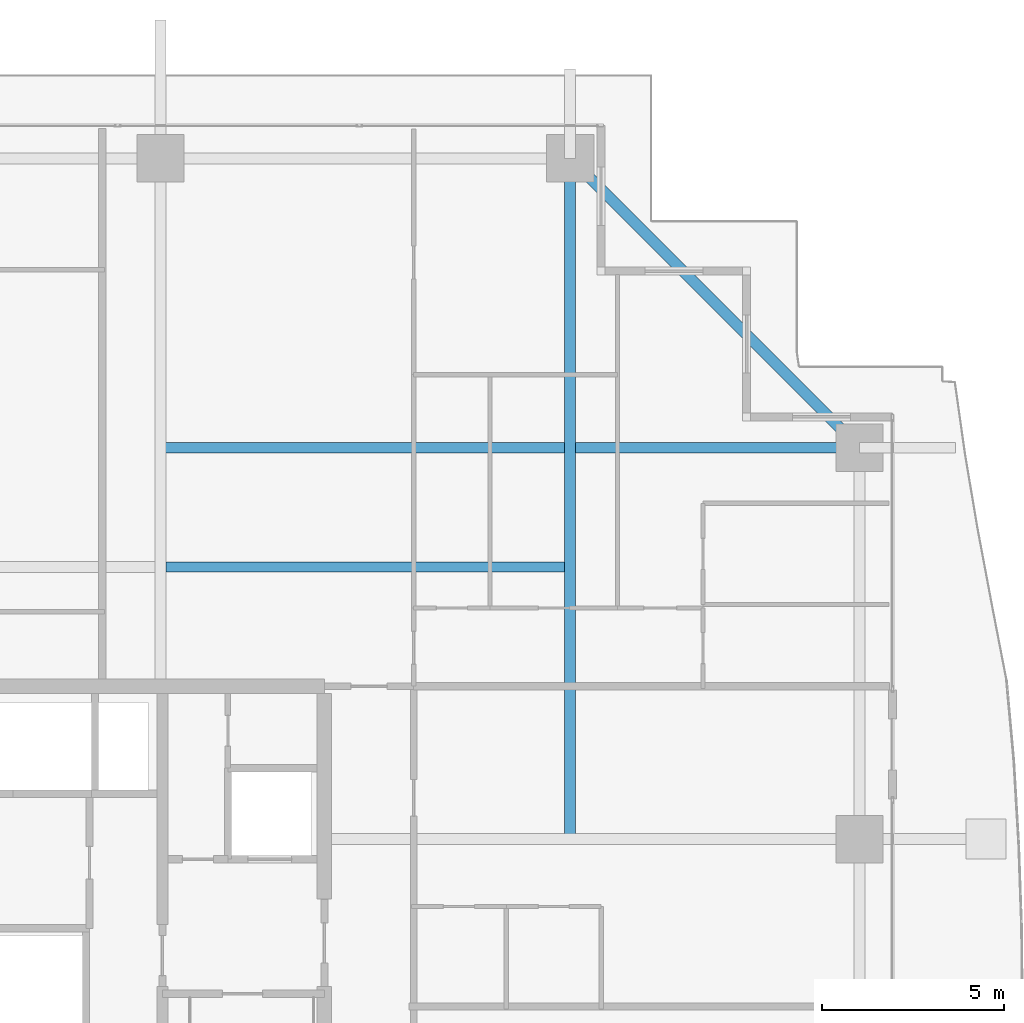
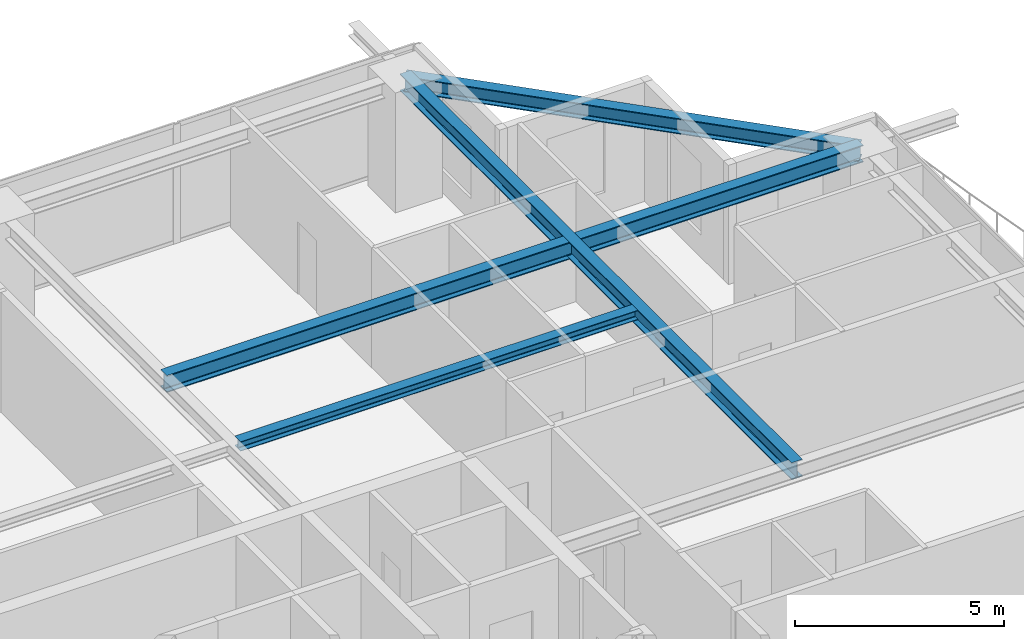
# One storey, part 22 of 36: 4 beams.
"""IFC4 building model written with IfcOpenShell, lengths in metres."""

from ifc_helpers import new_model, si_unit, direction, frame, origin, origin_2d, place, context, subcontext, project, spatial, i_section, extrude, source, transform, mapped, material, material_profile, profile_set, type_object, element, save


model = new_model("IFC4")

# Units and contexts
model_context = context("Model", 3, precision=1e-05, world=origin(), true_north=direction((0.0, 1.0)))
body_context = subcontext(model_context, "Body", "Model", "MODEL_VIEW")
ifc_project = project(units=[si_unit("LENGTHUNIT", "METRE"), si_unit("AREAUNIT", "SQUARE_METRE"), si_unit("VOLUMEUNIT", "CUBIC_METRE"), si_unit("PLANEANGLEUNIT", "RADIAN"), si_unit("MASSUNIT", "GRAM", prefix="KILO")], contexts=[model_context])

# Site, building, storey
site_placement = place(None, origin())
site = spatial("IfcSite", under=ifc_project, at=site_placement, CompositionType="ELEMENT")
building_placement = place(site_placement, origin())
building = spatial("IfcBuilding", under=site, at=building_placement, Name="Serunith Strait Residences", CompositionType="ELEMENT")
storey_placement = place(building_placement, frame((0.0, 0.0, 131.39990234375)))
storey = spatial("IfcBuildingStorey", under=building, at=storey_placement, Name="L32", CompositionType="ELEMENT", Elevation=131.39990234375)

# Beams
ifc_material = material(Name="Steel S355J2", Category="steel")
ifc_material_profile_1 = material_profile(ifc_material, i_section(OverallWidth=0.300048828125, OverallDepth=0.5, WebThickness=0.014404296875, FlangeThickness=0.028076171875, FilletRadius=0.027099609375, at=origin_2d()), Name="HEB 500")
ifc_profile_set_1 = profile_set([ifc_material_profile_1], Name="Steel S355J2")
beam_type_1 = type_object("IfcBeamType", Name="BM-HEB500", PredefinedType="BEAM", material=ifc_profile_set_1)
shared_shape_1 = source(origin(), body_context, "Body", "SweptSolid", [
    extrude(i_section(OverallWidth=0.300048828125, OverallDepth=0.5, WebThickness=0.014404296875, FlangeThickness=0.028076171875, FilletRadius=0.027099609375, at=origin_2d()), origin(), (0.0, 0.0, 1.0), 18.7001953125),
])
beam_1_placement = place(storey_placement, frame((48.14990234375, 29.39990234375, 3.237060546875), z_axis=(0.0, 1.0, 0.0), x_axis=(-1.0, 0.0, 0.0)))
element("IfcBeam", 1, at=beam_1_placement, inside=storey, type_object=beam_type_1, Name="L32 Orthogonal Corner Girder TC-N4", PredefinedType="BEAM", context=body_context, shape_type="MappedRepresentation", body=[
    mapped(shared_shape_1, transform((0.0, 0.0, 0.0), scale=1.0)),
])
shared_shape_2 = source(origin(), body_context, "Body", "SweptSolid", [
    extrude(i_section(OverallWidth=0.300048828125, OverallDepth=0.5, WebThickness=0.014404296875, FlangeThickness=0.028076171875, FilletRadius=0.027099609375, at=origin_2d()), origin(), (0.0, 0.0, 1.0), 19.2001953125),
])
beam_2_placement = place(storey_placement, frame((36.89990234375, 40.14990234375, 3.237060546875), z_axis=(1.0, 0.0, 0.0), x_axis=(0.0, 1.0, 0.0)))
element("IfcBeam", 2, at=beam_2_placement, inside=storey, type_object=beam_type_1, Name="L32 Orthogonal Corner Girder TC-E4", PredefinedType="BEAM", context=body_context, shape_type="MappedRepresentation", body=[
    mapped(shared_shape_2, transform((0.0, 0.0, 0.0), scale=1.0)),
])
ifc_material_profile_2 = material_profile(ifc_material, i_section(OverallWidth=0.300048828125, OverallDepth=0.449951171875, WebThickness=0.013916015625, FlangeThickness=0.02587890625, FilletRadius=0.027099609375, at=origin_2d()), Name="HEB 450")
ifc_profile_set_2 = profile_set([ifc_material_profile_2], Name="Steel S355J2")
beam_type_2 = type_object("IfcBeamType", Name="BM-HEB450", PredefinedType="BEAM", material=ifc_profile_set_2)
shared_shape_3 = source(origin(), body_context, "Body", "SweptSolid", [
    extrude(i_section(OverallWidth=0.300048828125, OverallDepth=0.449951171875, WebThickness=0.013916015625, FlangeThickness=0.02587890625, FilletRadius=0.027099609375, at=origin_2d()), origin(), (0.0, 0.0, 1.0), 11.2431640625),
])
beam_3_placement = place(storey_placement, frame((56.10009765625, 40.14990234375, 3.232177734375), z_axis=(-0.707106781187, 0.707106781187, 0.0), x_axis=(-0.707106781187, -0.707106781187, 0.0)))
element("IfcBeam", 3, at=beam_3_placement, inside=storey, type_object=beam_type_2, Name="L32 Perimeter Ring Beam 08", PredefinedType="BEAM", context=body_context, shape_type="MappedRepresentation", body=[
    mapped(shared_shape_3, transform((0.0, 0.0, 0.0), scale=1.0)),
])
ifc_material_profile_3 = material_profile(ifc_material, i_section(OverallWidth=0.280029296875, OverallDepth=0.280029296875, WebThickness=0.010498046875, FlangeThickness=0.01806640625, FilletRadius=0.02392578125, at=origin_2d()), Name="HEB 280")
ifc_profile_set_3 = profile_set([ifc_material_profile_3], Name="Steel S355J2")
beam_type_3 = type_object("IfcBeamType", Name="BM-HEB280", PredefinedType="JOIST", material=ifc_profile_set_3)
shared_shape_4 = source(origin(), body_context, "Body", "SweptSolid", [
    extrude(i_section(OverallWidth=0.280029296875, OverallDepth=0.280029296875, WebThickness=0.010498046875, FlangeThickness=0.01806640625, FilletRadius=0.02392578125, at=origin_2d()), origin(), (0.0, 0.0, 1.0), 10.949951171875),
])
beam_4_placement = place(storey_placement, frame((37.050048828125, 36.875, 3.34716796875), z_axis=(1.0, 0.0, 0.0), x_axis=(0.0, 1.0, 0.0)))
element("IfcBeam", 4, at=beam_4_placement, inside=storey, type_object=beam_type_3, Name="L32 Composite Floor Joist 06", PredefinedType="JOIST", context=body_context, shape_type="MappedRepresentation", body=[
    mapped(shared_shape_4, transform((0.0, 0.0, 0.0), scale=1.0)),
])

save(model, "model.ifc")
